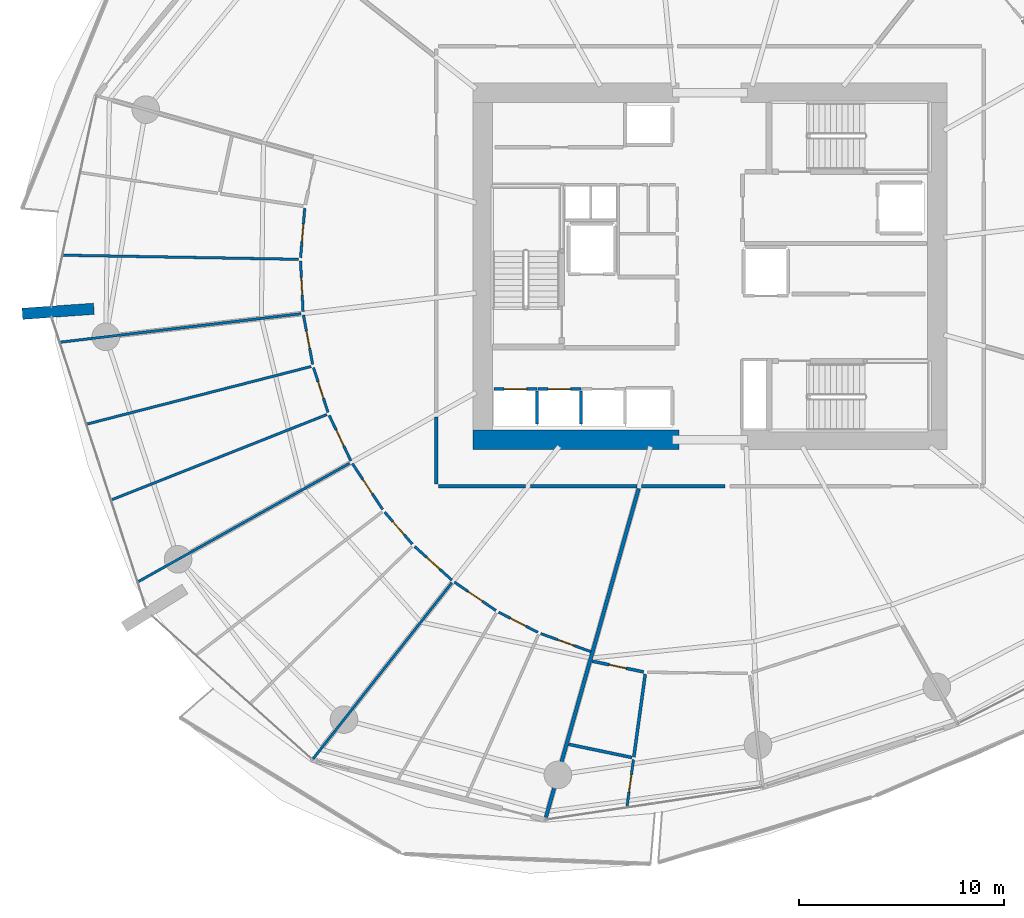
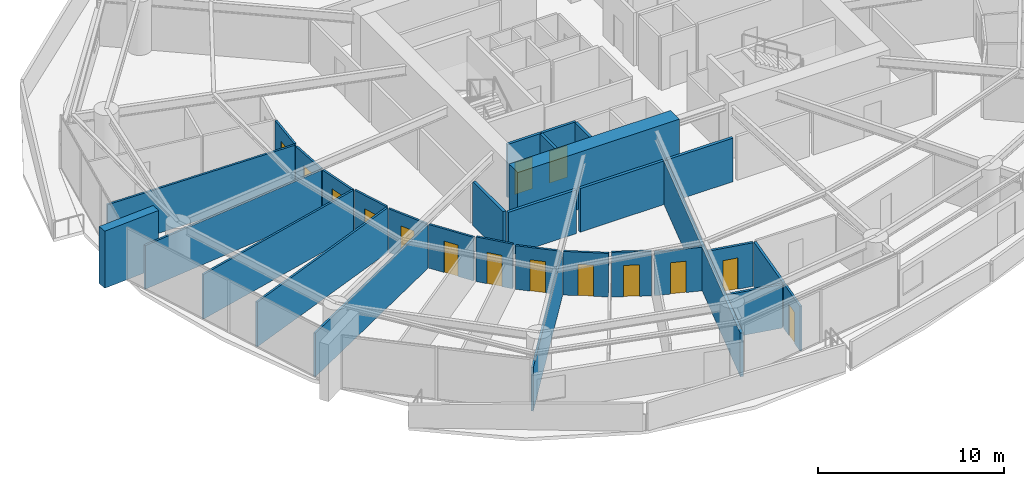
# One storey, part 19 of 31: 32 walls, 15 doors, 15 openings.
"""IFC4 building model written with IfcOpenShell, lengths in metres."""

from ifc_helpers import new_model, si_unit, direction, frame, frame_2d, origin, place, context, subcontext, project, spatial, rectangle, extrude, material, layer, layer_set, type_object, element, fill, save


model = new_model("IFC4")

# Units and contexts
model_context = context("Model", 3, precision=1e-05, world=origin(), true_north=direction((0.0, 1.0)))
body_context = subcontext(model_context, "Body", "Model", "MODEL_VIEW")
ifc_project = project(units=[si_unit("LENGTHUNIT", "METRE"), si_unit("AREAUNIT", "SQUARE_METRE"), si_unit("VOLUMEUNIT", "CUBIC_METRE"), si_unit("PLANEANGLEUNIT", "RADIAN"), si_unit("MASSUNIT", "GRAM", prefix="KILO")], contexts=[model_context])

# Site, building, storey
site_placement = place(None, origin())
site = spatial("IfcSite", under=ifc_project, at=site_placement, CompositionType="ELEMENT")
building_placement = place(site_placement, origin())
building = spatial("IfcBuilding", under=site, at=building_placement, Name="Kazma Halo Residences", CompositionType="ELEMENT")
storey_placement = place(building_placement, frame((0.0, 0.0, 52.64990234375)))
storey = spatial("IfcBuildingStorey", under=building, at=storey_placement, Name="L12", CompositionType="ELEMENT", Elevation=52.64990234375)

# Walls
ifc_material_1 = material(Name="Pale Concrete C60/75", Category="concrete")
ifc_layer_1 = layer(ifc_material_1, 0.550048828125)
ifc_layer_set_1 = layer_set([ifc_layer_1], Name="Pale Concrete C60/75")
wall_type_1 = type_object("IfcWallType", Name="WL-BLADE-550", PredefinedType="SOLIDWALL", material=ifc_layer_set_1)
wall_1_placement = place(storey_placement, frame((18.322021484375, 39.9248046875, 0.0), z_axis=(0.0, 0.0, 1.0), x_axis=(-0.997564163539, -0.069754853754, 0.0)))
element("IfcWall", 1, at=wall_1_placement, inside=storey, type_object=wall_type_1, Name="L12 pale concrete structural blade fin wall BW-02", PredefinedType="SOLIDWALL", context=body_context, shape_type="SweptSolid", body=[
    extrude(rectangle(XDim=3.5, YDim=0.550048828125, at=frame_2d((1.75, 0.0))), origin(), (0.0, 0.0, 1.0), 3.75),
])
ifc_material_2 = material(Name="Concrete C80/95", Category="concrete")
ifc_layer_2 = layer(ifc_material_2, 0.949951171875)
ifc_layer_set_2 = layer_set([ifc_layer_2], Name="Concrete C80/95")
wall_type_2 = type_object("IfcWallType", Name="WL-CORE-950", PredefinedType="SHEAR", material=ifc_layer_set_2)
wall_2_placement = place(storey_placement, frame((36.85009765625, 33.52490234375, 0.0), z_axis=(0.0, 0.0, 1.0), x_axis=(1.0, 0.0, 0.0)))
element("IfcWall", 2, at=wall_2_placement, inside=storey, type_object=wall_type_2, Name="L12 central core shear wall SW", PredefinedType="SHEAR", context=body_context, shape_type="SweptSolid", body=[
    extrude(rectangle(XDim=10.0498046875, YDim=0.949951171875, at=frame_2d((5.02490234375, 0.0))), origin(), (0.0, 0.0, 1.0), 3.75),
])
ifc_material_3 = material(Name="Acoustic Twin-Stud Gypsum")
ifc_layer_3 = layer(ifc_material_3, 0.179931640625)
ifc_layer_set_3 = layer_set([ifc_layer_3], Name="Acoustic Twin-Stud Gypsum")
wall_type_3 = type_object("IfcWallType", Name="WL-DEM-180", PredefinedType="PARTITIONING", material=ifc_layer_set_3)
wall_3_placement = place(storey_placement, frame((44.938232421875, 31.14404296875, 0.0), z_axis=(0.0, 0.0, 1.0), x_axis=(-0.27143758514, -0.962456044385, 0.0)))
element("IfcWall", 3, at=wall_3_placement, inside=storey, type_object=wall_type_3, Name="L12 apartment demising radial wall 10", PredefinedType="PARTITIONING", context=body_context, shape_type="SweptSolid", body=[
    extrude(rectangle(XDim=16.692626953125, YDim=0.179931640625, at=frame_2d((8.34619140625, 0.0))), origin(), (0.0, 0.0, 1.0), 2.8671875),
])
wall_4_placement = place(storey_placement, frame((35.050048828125, 34.627685546875, 0.0), z_axis=(0.0, 0.0, 1.0), x_axis=(0.0, -1.0, 0.0)))
element("IfcWall", 4, at=wall_4_placement, inside=storey, type_object=wall_type_3, Name="L12 Apartment 2 inner wall 8", PredefinedType="PARTITIONING", context=body_context, shape_type="SweptSolid", body=[
    extrude(rectangle(XDim=3.257568359375, YDim=0.179931640625, at=frame_2d((1.62890625, 0.0))), origin(), (0.0, 0.0, 1.0), 2.8671875),
])
wall_5_placement = place(storey_placement, frame((35.169921875, 31.25, 0.0), z_axis=(0.0, 0.0, 1.0), x_axis=(1.0, 0.0, 0.0)))
element("IfcWall", 5, at=wall_5_placement, inside=storey, type_object=wall_type_3, Name="L12 Apartment 2 inner wall 8", PredefinedType="PARTITIONING", context=body_context, shape_type="SweptSolid", body=[
    extrude(rectangle(XDim=4.235595703125, YDim=0.179931640625, at=frame_2d((2.11767578125, 0.0))), origin(), (0.0, 0.0, 1.0), 2.8671875),
])
wall_6_placement = place(storey_placement, frame((39.6455078125, 31.25, 0.0), z_axis=(0.0, 0.0, 1.0), x_axis=(1.0, 0.0, 0.0)))
element("IfcWall", 6, at=wall_6_placement, inside=storey, type_object=wall_type_3, Name="L12 Apartment 2 inner wall 9", PredefinedType="PARTITIONING", context=body_context, shape_type="SweptSolid", body=[
    extrude(rectangle(XDim=5.20263671875, YDim=0.179931640625, at=frame_2d((2.601318359375, 0.0))), origin(), (0.0, 0.0, 1.0), 2.8671875),
])
wall_7_placement = place(storey_placement, frame((45.088134765625, 31.25, 0.0), z_axis=(0.0, 0.0, 1.0), x_axis=(1.0, 0.0, 0.0)))
element("IfcWall", 7, at=wall_7_placement, inside=storey, type_object=wall_type_3, Name="L12 Apartment 3 inner wall 10", PredefinedType="PARTITIONING", context=body_context, shape_type="SweptSolid", body=[
    extrude(rectangle(XDim=4.064208984375, YDim=0.179931640625, at=frame_2d((2.0322265625, 0.0))), origin(), (0.0, 0.0, 1.0), 2.8671875),
])

# Wall, opening, door
ifc_material_4 = material(Name="Fire-Rated Blockwork Masonry", Category="masonry")
ifc_layer_4 = layer(ifc_material_4, 0.199951171875)
ifc_layer_set_4 = layer_set([ifc_layer_4], Name="Fire-Rated Blockwork Masonry")
wall_type_4 = type_object("IfcWallType", Name="WL-FLB-200", PredefinedType="PARTITIONING", material=ifc_layer_set_4)
wall_8_placement = place(storey_placement, frame((37.864990234375, 36.0048828125, 0.0), z_axis=(0.0, 0.0, 1.0), x_axis=(1.0, 0.0, 0.0)))
wall_8 = element("IfcWall", 8, at=wall_8_placement, inside=storey, type_object=wall_type_4, Name="L12 lift shaft PL-01 front wall", PredefinedType="PARTITIONING", context=body_context, shape_type="SweptSolid", body=[
    extrude(rectangle(XDim=2.110107421875, YDim=0.159912109375, at=frame_2d((1.05517578125, 0.0))), origin(), (0.0, 0.0, 1.0), 3.5),
])
opening_1_placement = place(wall_8_placement, frame((0.5048828125, 0.0, 0.0)))
opening_1 = element("IfcOpeningElement", 9, at=opening_1_placement, cuts=wall_8, Name="Opening LD-PL-01", PredefinedType="OPENING", context=body_context, shape_type="SweptSolid", body=[
    extrude(rectangle(XDim=1.10009765625, YDim=2.10009765625, at=frame_2d((0.550048828125, 1.050048828125))), frame((0.0, 0.08984375, 0.0), z_axis=(0.0, -1.0, 0.0), x_axis=(1.0, 0.0, 0.0)), (0.0, 0.0, 1.0), 0.179931640625),
])
ifc_material_5 = material(Name="Stainless Steel Fire-Rated", Category="steel")
door_type_1 = type_object("IfcDoorType", Name="DR-LIFT-SLD-1100", OperationType="DOUBLE_DOOR_SLIDING", PredefinedType="DOOR", material=ifc_material_5)
door_1_placement = place(opening_1_placement, origin())
door_1 = element("IfcDoor", 10, at=door_1_placement, inside=storey, type_object=door_type_1, Name="L12 lift PL-01 sliding landing door", OperationType="DOUBLE_DOOR_SLIDING", OverallHeight=2.10009765625, OverallWidth=1.10009765625, PredefinedType="DOOR", context=body_context, shape_type="SweptSolid", body=[
    extrude(rectangle(XDim=1.10009765625, YDim=2.10009765625, at=frame_2d((0.550048828125, 1.050048828125))), frame((0.0, 0.02490234375, 0.0), z_axis=(0.0, -1.0, 0.0), x_axis=(1.0, 0.0, 0.0)), (0.0, 0.0, 1.0), 0.050048828125),
])
fill(opening_1, door_1)

# Wall
wall_9_placement = place(storey_placement, frame((39.97509765625, 34.294921875, 0.0), z_axis=(0.0, 0.0, 1.0), x_axis=(0.0, 1.0, 0.0)))
element("IfcWall", 11, at=wall_9_placement, inside=storey, type_object=wall_type_4, Name="L12 lift shaft PL-01 side wall E", PredefinedType="PARTITIONING", context=body_context, shape_type="SweptSolid", body=[
    extrude(rectangle(XDim=1.610107421875, YDim=0.159912109375, at=frame_2d((0.80517578125, 0.0))), origin(), (0.0, 0.0, 1.0), 3.5),
])

# Wall, opening, door
wall_10_placement = place(storey_placement, frame((40.014892578125, 36.0048828125, 0.0), z_axis=(0.0, 0.0, 1.0), x_axis=(1.0, 0.0, 0.0)))
wall_10 = element("IfcWall", 12, at=wall_10_placement, inside=storey, type_object=wall_type_4, Name="L12 lift shaft PL-02 front wall", PredefinedType="PARTITIONING", context=body_context, shape_type="SweptSolid", body=[
    extrude(rectangle(XDim=2.110107421875, YDim=0.159912109375, at=frame_2d((1.05517578125, 0.0))), origin(), (0.0, 0.0, 1.0), 3.5),
])
opening_2_placement = place(wall_10_placement, frame((0.5048828125, 0.0, 0.0)))
opening_2 = element("IfcOpeningElement", 13, at=opening_2_placement, cuts=wall_10, Name="Opening LD-PL-02", PredefinedType="OPENING", context=body_context, shape_type="SweptSolid", body=[
    extrude(rectangle(XDim=1.10009765625, YDim=2.10009765625, at=frame_2d((0.550048828125, 1.050048828125))), frame((0.0, 0.08984375, 0.0), z_axis=(0.0, -1.0, 0.0), x_axis=(1.0, 0.0, 0.0)), (0.0, 0.0, 1.0), 0.179931640625),
])
door_2_placement = place(opening_2_placement, origin())
door_2 = element("IfcDoor", 14, at=door_2_placement, inside=storey, type_object=door_type_1, Name="L12 lift PL-02 sliding landing door", OperationType="DOUBLE_DOOR_SLIDING", OverallHeight=2.10009765625, OverallWidth=1.10009765625, PredefinedType="DOOR", context=body_context, shape_type="SweptSolid", body=[
    extrude(rectangle(XDim=1.10009765625, YDim=2.10009765625, at=frame_2d((0.550048828125, 1.050048828125))), frame((0.0, 0.02490234375, 0.0), z_axis=(0.0, -1.0, 0.0), x_axis=(1.0, 0.0, 0.0)), (0.0, 0.0, 1.0), 0.050048828125),
])
fill(opening_2, door_2)

# Walls
wall_11_placement = place(storey_placement, frame((42.125, 34.294921875, 0.0), z_axis=(0.0, 0.0, 1.0), x_axis=(0.0, 1.0, 0.0)))
element("IfcWall", 15, at=wall_11_placement, inside=storey, type_object=wall_type_4, Name="L12 lift shaft PL-02 side wall E", PredefinedType="PARTITIONING", context=body_context, shape_type="SweptSolid", body=[
    extrude(rectangle(XDim=1.610107421875, YDim=0.159912109375, at=frame_2d((0.80517578125, 0.0))), origin(), (0.0, 0.0, 1.0), 3.5),
])
ifc_material_6 = material(Name="Gypsum Plasterboard Partition")
ifc_layer_5 = layer(ifc_material_6, 0.125)
ifc_layer_set_5 = layer_set([ifc_layer_5], Name="Gypsum Plasterboard Partition")
wall_type_5 = type_object("IfcWallType", Name="WL-PART-125", PredefinedType="PARTITIONING", material=ifc_layer_set_5)
wall_12_placement = place(storey_placement, frame((28.322998046875, 42.34326171875, 0.0), z_axis=(0.0, 0.0, 1.0), x_axis=(-0.999848157463, 0.017425900802, 0.0)))
element("IfcWall", 16, at=wall_12_placement, inside=storey, type_object=wall_type_5, Name="L12 Apartment 2 suite divider 6", PredefinedType="PARTITIONING", context=body_context, shape_type="SweptSolid", body=[
    extrude(rectangle(XDim=11.516357421875, YDim=0.125, at=frame_2d((5.75830078125, 0.0))), origin(), (0.0, 0.0, 1.0), 2.940185546875),
])

# Wall, opening, door
wall_13_placement = place(storey_placement, frame((28.62255859375, 44.837890625, 0.0), z_axis=(0.0, 0.0, 1.0), x_axis=(-0.083662019613, -0.996494187878, 0.0)))
wall_13 = element("IfcWall", 17, at=wall_13_placement, inside=storey, type_object=wall_type_5, Name="L12 Apartment 2 Gourmet Kitchen hall wall", PredefinedType="PARTITIONING", context=body_context, shape_type="SweptSolid", body=[
    extrude(rectangle(XDim=2.425048828125, YDim=0.125, at=frame_2d((1.21240234375, 0.0))), origin(), (0.0, 0.0, 1.0), 2.940185546875),
])
opening_3_placement = place(wall_13_placement, frame((0.78759765625, 0.0, 0.0)))
opening_3 = element("IfcOpeningElement", 18, at=opening_3_placement, cuts=wall_13, Name="Opening DB-900", PredefinedType="OPENING", context=body_context, shape_type="SweptSolid", body=[
    extrude(rectangle(XDim=0.85009765625, YDim=2.06005859375, at=frame_2d((0.425048828125, 1.030029296875))), frame((0.0, 0.072509765625, 0.0), z_axis=(0.0, -1.0, 0.0), x_axis=(1.0, 0.0, 0.0)), (0.0, 0.0, 1.0), 0.14501953125),
])
ifc_material_7 = material(Name="Moisture-Sealed Timber Leaf", Category="wood")
door_type_2 = type_object("IfcDoorType", Name="DR-BTH-900", OperationType="NOTDEFINED", PredefinedType="DOOR", material=ifc_material_7)
door_3_placement = place(opening_3_placement, origin())
door_3 = element("IfcDoor", 19, at=door_3_placement, inside=storey, type_object=door_type_2, Name="L12 Apartment 2 Gourmet Kitchen door", OperationType="SINGLE_SWING_LEFT", OverallHeight=2.06005859375, OverallWidth=0.85009765625, PredefinedType="DOOR", context=body_context, shape_type="SweptSolid", body=[
    extrude(rectangle(XDim=0.85009765625, YDim=2.06005859375, at=frame_2d((0.425048828125, 1.030029296875))), frame((0.0, 0.02490234375, 0.0), z_axis=(0.0, -1.0, 0.0), x_axis=(1.0, 0.0, 0.0)), (0.0, 0.0, 1.0), 0.050048828125),
])
fill(opening_3, door_3)

wall_14_placement = place(storey_placement, frame((28.4169921875, 42.26171875, 0.0), z_axis=(0.0, 0.0, 1.0), x_axis=(0.050164619396, -0.998740962893, 0.0)))
wall_14 = element("IfcWall", 20, at=wall_14_placement, inside=storey, type_object=wall_type_5, Name="L12 Apartment 2 Master Bedroom hall wall", PredefinedType="PARTITIONING", context=body_context, shape_type="SweptSolid", body=[
    extrude(rectangle(XDim=2.467529296875, YDim=0.125, at=frame_2d((1.23388671875, 0.0))), origin(), (0.0, 0.0, 1.0), 2.8671875),
])
opening_4_placement = place(wall_14_placement, frame((0.808837890625, 0.0, 0.0)))
opening_4 = element("IfcOpeningElement", 21, at=opening_4_placement, cuts=wall_14, Name="Opening DB-900", PredefinedType="OPENING", context=body_context, shape_type="SweptSolid", body=[
    extrude(rectangle(XDim=0.85009765625, YDim=2.06005859375, at=frame_2d((0.425048828125, 1.030029296875))), frame((0.0, 0.072509765625, 0.0), z_axis=(0.0, -1.0, 0.0), x_axis=(1.0, 0.0, 0.0)), (0.0, 0.0, 1.0), 0.14501953125),
])
door_4_placement = place(opening_4_placement, origin())
door_4 = element("IfcDoor", 22, at=door_4_placement, inside=storey, type_object=door_type_2, Name="L12 Apartment 2 Master Bedroom door", OperationType="SINGLE_SWING_RIGHT", OverallHeight=2.06005859375, OverallWidth=0.85009765625, PredefinedType="DOOR", context=body_context, shape_type="SweptSolid", body=[
    extrude(rectangle(XDim=0.85009765625, YDim=2.06005859375, at=frame_2d((0.425048828125, 1.030029296875))), frame((0.0, 0.02490234375, 0.0), z_axis=(0.0, -1.0, 0.0), x_axis=(1.0, 0.0, 0.0)), (0.0, 0.0, 1.0), 0.050048828125),
])
fill(opening_4, door_4)

# Walls
wall_15_placement = place(storey_placement, frame((28.446533203125, 39.685546875, 0.0), z_axis=(0.0, 0.0, 1.0), x_axis=(-0.993069352834, -0.117529827964, 0.0)))
element("IfcWall", 23, at=wall_15_placement, inside=storey, type_object=wall_type_5, Name="L12 Apartment 2 radial partition 7", PredefinedType="PARTITIONING", context=body_context, shape_type="SweptSolid", body=[
    extrude(rectangle(XDim=11.8486328125, YDim=0.125, at=frame_2d((5.92431640625, 0.0))), origin(), (0.0, 0.0, 1.0), 2.8671875),
])
for number, where, z_axis, x_axis, name in (
    (24, (28.938232421875, 37.105712890625, 0.0), (0.0, 0.0, 1.0), (-0.968583138893, -0.248689973767, 0.0), "L12 Apartment 2 bay wall 1 7"),
    (25, (29.701904296875, 34.75537109375, 0.0), (0.0, 0.0, 1.0), (-0.929773223041, -0.368132793591, 0.0), "L12 Apartment 2 bay wall 2 7"),
):
    element("IfcWall", number, at=place(storey_placement, frame(where, z_axis=z_axis, x_axis=x_axis)), inside=storey, type_object=wall_type_5, Name=name, PredefinedType="PARTITIONING", context=body_context, shape_type="SweptSolid", body=[
        extrude(rectangle(XDim=11.313232421875, YDim=0.125, at=frame_2d((5.65673828125, 0.0))), origin(), (0.0, 0.0, 1.0), 2.940185546875),
    ])

# Wall, opening, door
wall_16_placement = place(storey_placement, frame((28.560546875, 39.618896484375, 0.0), z_axis=(0.0, 0.0, 1.0), x_axis=(0.183471474028, -0.98302503438, 0.0)))
wall_16 = element("IfcWall", 26, at=wall_16_placement, inside=storey, type_object=wall_type_5, Name="L12 Apartment 2 Primary Master Bedroom hall wall", PredefinedType="PARTITIONING", context=body_context, shape_type="SweptSolid", body=[
    extrude(rectangle(XDim=2.453857421875, YDim=0.125, at=frame_2d((1.22705078125, 0.0))), origin(), (0.0, 0.0, 1.0), 2.8671875),
])
opening_5_placement = place(wall_16_placement, frame((0.8017578125, 0.0, 0.0)))
opening_5 = element("IfcOpeningElement", 27, at=opening_5_placement, cuts=wall_16, Name="Opening DB-900", PredefinedType="OPENING", context=body_context, shape_type="SweptSolid", body=[
    extrude(rectangle(XDim=0.85009765625, YDim=2.06005859375, at=frame_2d((0.425048828125, 1.030029296875))), frame((0.0, 0.072509765625, 0.0), z_axis=(0.0, -1.0, 0.0), x_axis=(1.0, 0.0, 0.0)), (0.0, 0.0, 1.0), 0.14501953125),
])
door_5_placement = place(opening_5_placement, origin())
door_5 = element("IfcDoor", 28, at=door_5_placement, inside=storey, type_object=door_type_2, Name="L12 Apartment 2 Primary Master Bedroom door", OperationType="SINGLE_SWING_LEFT", OverallHeight=2.06005859375, OverallWidth=0.85009765625, PredefinedType="DOOR", context=body_context, shape_type="SweptSolid", body=[
    extrude(rectangle(XDim=0.85009765625, YDim=2.06005859375, at=frame_2d((0.425048828125, 1.030029296875))), frame((0.0, 0.02490234375, 0.0), z_axis=(0.0, -1.0, 0.0), x_axis=(1.0, 0.0, 0.0)), (0.0, 0.0, 1.0), 0.050048828125),
])
fill(opening_5, door_5)

wall_17_placement = place(storey_placement, frame((29.05029296875, 37.052001953125, 0.0), z_axis=(0.0, 0.0, 1.0), x_axis=(0.308990065628, -0.951065265554, 0.0)))
wall_17 = element("IfcWall", 29, at=wall_17_placement, inside=storey, type_object=wall_type_5, Name="L12 Apartment 2 Secondary Dressing Wardrobe hall wall", PredefinedType="PARTITIONING", context=body_context, shape_type="SweptSolid", body=[
    extrude(rectangle(XDim=2.300048828125, YDim=0.125, at=frame_2d((1.14990234375, 0.0))), origin(), (0.0, 0.0, 1.0), 2.940185546875),
])
opening_6_placement = place(wall_17_placement, frame((0.72509765625, 0.0, 0.0)))
opening_6 = element("IfcOpeningElement", 30, at=opening_6_placement, cuts=wall_17, Name="Opening DB-900", PredefinedType="OPENING", context=body_context, shape_type="SweptSolid", body=[
    extrude(rectangle(XDim=0.85009765625, YDim=2.06005859375, at=frame_2d((0.425048828125, 1.030029296875))), frame((0.0, 0.072509765625, 0.0), z_axis=(0.0, -1.0, 0.0), x_axis=(1.0, 0.0, 0.0)), (0.0, 0.0, 1.0), 0.14501953125),
])
door_6_placement = place(opening_6_placement, origin())
door_6 = element("IfcDoor", 31, at=door_6_placement, inside=storey, type_object=door_type_2, Name="L12 Apartment 2 Secondary Dressing Wardrobe door", OperationType="SINGLE_SWING_RIGHT", OverallHeight=2.06005859375, OverallWidth=0.85009765625, PredefinedType="DOOR", context=body_context, shape_type="SweptSolid", body=[
    extrude(rectangle(XDim=0.85009765625, YDim=2.06005859375, at=frame_2d((0.425048828125, 1.030029296875))), frame((0.0, 0.02490234375, 0.0), z_axis=(0.0, -1.0, 0.0), x_axis=(1.0, 0.0, 0.0)), (0.0, 0.0, 1.0), 0.050048828125),
])
fill(opening_6, door_6)

wall_18_placement = place(storey_placement, frame((29.820068359375, 34.716064453125, 0.0), z_axis=(0.0, 0.0, 1.0), x_axis=(0.429373424985, -0.903127046388, 0.0)))
wall_18 = element("IfcWall", 32, at=wall_18_placement, inside=storey, type_object=wall_type_5, Name="L12 Apartment 2 East Master Bedroom hall wall", PredefinedType="PARTITIONING", context=body_context, shape_type="SweptSolid", body=[
    extrude(rectangle(XDim=2.45361328125, YDim=0.125, at=frame_2d((1.226806640625, 0.0))), origin(), (0.0, 0.0, 1.0), 2.8671875),
])
opening_7_placement = place(wall_18_placement, frame((0.8017578125, 0.0, 0.0)))
opening_7 = element("IfcOpeningElement", 33, at=opening_7_placement, cuts=wall_18, Name="Opening DB-900", PredefinedType="OPENING", context=body_context, shape_type="SweptSolid", body=[
    extrude(rectangle(XDim=0.85009765625, YDim=2.06005859375, at=frame_2d((0.425048828125, 1.030029296875))), frame((0.0, 0.072509765625, 0.0), z_axis=(0.0, -1.0, 0.0), x_axis=(1.0, 0.0, 0.0)), (0.0, 0.0, 1.0), 0.14501953125),
])
door_7_placement = place(opening_7_placement, origin())
door_7 = element("IfcDoor", 34, at=door_7_placement, inside=storey, type_object=door_type_2, Name="L12 Apartment 2 East Master Bedroom door", OperationType="SINGLE_SWING_LEFT", OverallHeight=2.06005859375, OverallWidth=0.85009765625, PredefinedType="DOOR", context=body_context, shape_type="SweptSolid", body=[
    extrude(rectangle(XDim=0.85009765625, YDim=2.06005859375, at=frame_2d((0.425048828125, 1.030029296875))), frame((0.0, 0.02490234375, 0.0), z_axis=(0.0, -1.0, 0.0), x_axis=(1.0, 0.0, 0.0)), (0.0, 0.0, 1.0), 0.050048828125),
])
fill(opening_7, door_7)

# Wall
wall_19_placement = place(storey_placement, frame((30.820556640625, 32.37890625, 0.0), z_axis=(0.0, 0.0, 1.0), x_axis=(-0.872502853637, -0.488609015877, 0.0)))
element("IfcWall", 35, at=wall_19_placement, inside=storey, type_object=wall_type_5, Name="L12 Apartment 2 radial partition 8", PredefinedType="PARTITIONING", context=body_context, shape_type="SweptSolid", body=[
    extrude(rectangle(XDim=11.8486328125, YDim=0.125, at=frame_2d((5.92431640625, 0.0))), origin(), (0.0, 0.0, 1.0), 2.8671875),
])

# Wall, opening, door
wall_20_placement = place(storey_placement, frame((30.951904296875, 32.361083984375, 0.0), z_axis=(0.0, 0.0, 1.0), x_axis=(0.550641951823, -0.834741541372, 0.0)))
wall_20 = element("IfcWall", 36, at=wall_20_placement, inside=storey, type_object=wall_type_5, Name="L12 Apartment 2 West Master Bedroom hall wall", PredefinedType="PARTITIONING", context=body_context, shape_type="SweptSolid", body=[
    extrude(rectangle(XDim=2.683837890625, YDim=0.125, at=frame_2d((1.341796875, 0.0))), origin(), (0.0, 0.0, 1.0), 2.8671875),
])
opening_8_placement = place(wall_20_placement, frame((0.9169921875, 0.0, 0.0)))
opening_8 = element("IfcOpeningElement", 37, at=opening_8_placement, cuts=wall_20, Name="Opening DB-900", PredefinedType="OPENING", context=body_context, shape_type="SweptSolid", body=[
    extrude(rectangle(XDim=0.85009765625, YDim=2.06005859375, at=frame_2d((0.425048828125, 1.030029296875))), frame((0.0, 0.072509765625, 0.0), z_axis=(0.0, -1.0, 0.0), x_axis=(1.0, 0.0, 0.0)), (0.0, 0.0, 1.0), 0.14501953125),
])
door_8_placement = place(opening_8_placement, origin())
door_8 = element("IfcDoor", 38, at=door_8_placement, inside=storey, type_object=door_type_2, Name="L12 Apartment 2 West Master Bedroom door", OperationType="SINGLE_SWING_RIGHT", OverallHeight=2.06005859375, OverallWidth=0.85009765625, PredefinedType="DOOR", context=body_context, shape_type="SweptSolid", body=[
    extrude(rectangle(XDim=0.85009765625, YDim=2.06005859375, at=frame_2d((0.425048828125, 1.030029296875))), frame((0.0, 0.02490234375, 0.0), z_axis=(0.0, -1.0, 0.0), x_axis=(1.0, 0.0, 0.0)), (0.0, 0.0, 1.0), 0.050048828125),
])
fill(opening_8, door_8)

wall_21_placement = place(storey_placement, frame((32.526123046875, 29.993408203125, 0.0), z_axis=(0.0, 0.0, 1.0), x_axis=(0.653933053639, -0.756552418117, 0.0)))
wall_21 = element("IfcWall", 39, at=wall_21_placement, inside=storey, type_object=wall_type_5, Name="L12 Apartment 2 North Study hall wall", PredefinedType="PARTITIONING", context=body_context, shape_type="SweptSolid", body=[
    extrude(rectangle(XDim=2.06982421875, YDim=0.125, at=frame_2d((1.034912109375, 0.0))), origin(), (0.0, 0.0, 1.0), 2.940185546875),
])
opening_9_placement = place(wall_21_placement, frame((0.60986328125, 0.0, 0.0)))
opening_9 = element("IfcOpeningElement", 40, at=opening_9_placement, cuts=wall_21, Name="Opening DB-900", PredefinedType="OPENING", context=body_context, shape_type="SweptSolid", body=[
    extrude(rectangle(XDim=0.85009765625, YDim=2.06005859375, at=frame_2d((0.425048828125, 1.030029296875))), frame((0.0, 0.072509765625, 0.0), z_axis=(0.0, -1.0, 0.0), x_axis=(1.0, 0.0, 0.0)), (0.0, 0.0, 1.0), 0.14501953125),
])
door_9_placement = place(opening_9_placement, origin())
door_9 = element("IfcDoor", 41, at=door_9_placement, inside=storey, type_object=door_type_2, Name="L12 Apartment 2 North Study door", OperationType="SINGLE_SWING_LEFT", OverallHeight=2.06005859375, OverallWidth=0.85009765625, PredefinedType="DOOR", context=body_context, shape_type="SweptSolid", body=[
    extrude(rectangle(XDim=0.85009765625, YDim=2.06005859375, at=frame_2d((0.425048828125, 1.030029296875))), frame((0.0, 0.02490234375, 0.0), z_axis=(0.0, -1.0, 0.0), x_axis=(1.0, 0.0, 0.0)), (0.0, 0.0, 1.0), 0.050048828125),
])
fill(opening_9, door_9)

wall_22_placement = place(storey_placement, frame((33.9912109375, 28.3134765625, 0.0), z_axis=(0.0, 0.0, 1.0), x_axis=(0.742254293896, -0.670118320293, 0.0)))
wall_22 = element("IfcWall", 42, at=wall_22_placement, inside=storey, type_object=wall_type_5, Name="L12 Apartment 2 South Master Bedroom hall wall", PredefinedType="PARTITIONING", context=body_context, shape_type="SweptSolid", body=[
    extrude(rectangle(XDim=2.45361328125, YDim=0.125, at=frame_2d((1.226806640625, 0.0))), origin(), (0.0, 0.0, 1.0), 2.8671875),
])
opening_10_placement = place(wall_22_placement, frame((0.8017578125, 0.0, 0.0)))
opening_10 = element("IfcOpeningElement", 43, at=opening_10_placement, cuts=wall_22, Name="Opening DB-900", PredefinedType="OPENING", context=body_context, shape_type="SweptSolid", body=[
    extrude(rectangle(XDim=0.85009765625, YDim=2.06005859375, at=frame_2d((0.425048828125, 1.030029296875))), frame((0.0, 0.072509765625, 0.0), z_axis=(0.0, -1.0, 0.0), x_axis=(1.0, 0.0, 0.0)), (0.0, 0.0, 1.0), 0.14501953125),
])
door_10_placement = place(opening_10_placement, origin())
door_10 = element("IfcDoor", 44, at=door_10_placement, inside=storey, type_object=door_type_2, Name="L12 Apartment 2 South Master Bedroom door", OperationType="SINGLE_SWING_RIGHT", OverallHeight=2.06005859375, OverallWidth=0.85009765625, PredefinedType="DOOR", context=body_context, shape_type="SweptSolid", body=[
    extrude(rectangle(XDim=0.85009765625, YDim=2.06005859375, at=frame_2d((0.425048828125, 1.030029296875))), frame((0.0, 0.02490234375, 0.0), z_axis=(0.0, -1.0, 0.0), x_axis=(1.0, 0.0, 0.0)), (0.0, 0.0, 1.0), 0.050048828125),
])
fill(opening_10, door_10)

# Wall
wall_23_placement = place(storey_placement, frame((35.81005859375, 26.537109375, 0.0), z_axis=(0.0, 0.0, 1.0), x_axis=(-0.619089957105, -0.785320078064, 0.0)))
element("IfcWall", 45, at=wall_23_placement, inside=storey, type_object=wall_type_5, Name="L12 Apartment 2 radial partition 9", PredefinedType="PARTITIONING", context=body_context, shape_type="SweptSolid", body=[
    extrude(rectangle(XDim=10.984375, YDim=0.125, at=frame_2d((5.4921875, 0.0))), origin(), (0.0, 0.0, 1.0), 2.8671875),
])

# Wall, opening, door
wall_24_placement = place(storey_placement, frame((35.93798828125, 26.5703125, 0.0), z_axis=(0.0, 0.0, 1.0), x_axis=(0.824894565629, -0.565286613672, 0.0)))
wall_24 = element("IfcWall", 46, at=wall_24_placement, inside=storey, type_object=wall_type_5, Name="L12 Apartment 2 Inner Bedroom hall wall", PredefinedType="PARTITIONING", context=body_context, shape_type="SweptSolid", body=[
    extrude(rectangle(XDim=2.45361328125, YDim=0.125, at=frame_2d((1.226806640625, 0.0))), origin(), (0.0, 0.0, 1.0), 2.8671875),
])
opening_11_placement = place(wall_24_placement, frame((0.8017578125, 0.0, 0.0)))
opening_11 = element("IfcOpeningElement", 47, at=opening_11_placement, cuts=wall_24, Name="Opening DB-900", PredefinedType="OPENING", context=body_context, shape_type="SweptSolid", body=[
    extrude(rectangle(XDim=0.85009765625, YDim=2.06005859375, at=frame_2d((0.425048828125, 1.030029296875))), frame((0.0, 0.072509765625, 0.0), z_axis=(0.0, -1.0, 0.0), x_axis=(1.0, 0.0, 0.0)), (0.0, 0.0, 1.0), 0.14501953125),
])
door_11_placement = place(opening_11_placement, origin())
door_11 = element("IfcDoor", 48, at=door_11_placement, inside=storey, type_object=door_type_2, Name="L12 Apartment 2 Inner Bedroom door", OperationType="SINGLE_SWING_LEFT", OverallHeight=2.06005859375, OverallWidth=0.85009765625, PredefinedType="DOOR", context=body_context, shape_type="SweptSolid", body=[
    extrude(rectangle(XDim=0.85009765625, YDim=2.06005859375, at=frame_2d((0.425048828125, 1.030029296875))), frame((0.0, 0.02490234375, 0.0), z_axis=(0.0, -1.0, 0.0), x_axis=(1.0, 0.0, 0.0)), (0.0, 0.0, 1.0), 0.050048828125),
])
fill(opening_11, door_11)

wall_25_placement = place(storey_placement, frame((38.09912109375, 25.1015625, 0.0), z_axis=(0.0, 0.0, 1.0), x_axis=(0.889180724552, -0.457556159487, 0.0)))
wall_25 = element("IfcWall", 49, at=wall_25_placement, inside=storey, type_object=wall_type_5, Name="L12 Apartment 2 Outer Dressing Wardrobe hall wall", PredefinedType="PARTITIONING", context=body_context, shape_type="SweptSolid", body=[
    extrude(rectangle(XDim=2.146484375, YDim=0.125, at=frame_2d((1.0732421875, 0.0))), origin(), (0.0, 0.0, 1.0), 2.940185546875),
])
opening_12_placement = place(wall_25_placement, frame((0.648193359375, 0.0, 0.0)))
opening_12 = element("IfcOpeningElement", 50, at=opening_12_placement, cuts=wall_25, Name="Opening DB-900", PredefinedType="OPENING", context=body_context, shape_type="SweptSolid", body=[
    extrude(rectangle(XDim=0.85009765625, YDim=2.06005859375, at=frame_2d((0.425048828125, 1.030029296875))), frame((0.0, 0.072509765625, 0.0), z_axis=(0.0, -1.0, 0.0), x_axis=(1.0, 0.0, 0.0)), (0.0, 0.0, 1.0), 0.14501953125),
])
door_12_placement = place(opening_12_placement, origin())
door_12 = element("IfcDoor", 51, at=door_12_placement, inside=storey, type_object=door_type_2, Name="L12 Apartment 2 Outer Dressing Wardrobe door", OperationType="SINGLE_SWING_RIGHT", OverallHeight=2.06005859375, OverallWidth=0.85009765625, PredefinedType="DOOR", context=body_context, shape_type="SweptSolid", body=[
    extrude(rectangle(XDim=0.85009765625, YDim=2.06005859375, at=frame_2d((0.425048828125, 1.030029296875))), frame((0.0, 0.02490234375, 0.0), z_axis=(0.0, -1.0, 0.0), x_axis=(1.0, 0.0, 0.0)), (0.0, 0.0, 1.0), 0.050048828125),
])
fill(opening_12, door_12)

wall_26_placement = place(storey_placement, frame((40.154296875, 24.0556640625, 0.0), z_axis=(0.0, 0.0, 1.0), x_axis=(0.94088502421, -0.338726100584, 0.0)))
wall_26 = element("IfcWall", 52, at=wall_26_placement, inside=storey, type_object=wall_type_5, Name="L12 Apartment 2 Corner Bedroom hall wall", PredefinedType="PARTITIONING", context=body_context, shape_type="SweptSolid", body=[
    extrude(rectangle(XDim=2.60693359375, YDim=0.125, at=frame_2d((1.303466796875, 0.0))), origin(), (0.0, 0.0, 1.0), 2.8671875),
])
opening_13_placement = place(wall_26_placement, frame((0.878662109375, 0.0, 0.0)))
opening_13 = element("IfcOpeningElement", 53, at=opening_13_placement, cuts=wall_26, Name="Opening DB-900", PredefinedType="OPENING", context=body_context, shape_type="SweptSolid", body=[
    extrude(rectangle(XDim=0.85009765625, YDim=2.06005859375, at=frame_2d((0.425048828125, 1.030029296875))), frame((0.0, 0.072509765625, 0.0), z_axis=(0.0, -1.0, 0.0), x_axis=(1.0, 0.0, 0.0)), (0.0, 0.0, 1.0), 0.14501953125),
])
door_13_placement = place(opening_13_placement, origin())
door_13 = element("IfcDoor", 54, at=door_13_placement, inside=storey, type_object=door_type_2, Name="L12 Apartment 2 Corner Bedroom door", OperationType="SINGLE_SWING_LEFT", OverallHeight=2.06005859375, OverallWidth=0.85009765625, PredefinedType="DOOR", context=body_context, shape_type="SweptSolid", body=[
    extrude(rectangle(XDim=0.85009765625, YDim=2.06005859375, at=frame_2d((0.425048828125, 1.030029296875))), frame((0.0, 0.02490234375, 0.0), z_axis=(0.0, -1.0, 0.0), x_axis=(1.0, 0.0, 0.0)), (0.0, 0.0, 1.0), 0.050048828125),
])
fill(opening_13, door_13)

wall_27_placement = place(storey_placement, frame((44.68505859375, 17.893798828125, 0.0), z_axis=(0.0, 0.0, 1.0), x_axis=(-0.136247867624, -0.990674779414, 0.0)))
wall_27 = element("IfcWall", 55, at=wall_27_placement, inside=storey, type_object=wall_type_5, Name="L12 Apartment 3 Household Store Room partition wall", PredefinedType="PARTITIONING", context=body_context, shape_type="SweptSolid", body=[
    extrude(rectangle(XDim=2.3330078125, YDim=0.125, at=frame_2d((1.16650390625, 0.0))), origin(), (0.0, 0.0, 1.0), 2.940185546875),
])
opening_14_placement = place(wall_27_placement, frame((0.74169921875, 0.0, 0.0)))
opening_14 = element("IfcOpeningElement", 56, at=opening_14_placement, cuts=wall_27, Name="Opening DB-900", PredefinedType="OPENING", context=body_context, shape_type="SweptSolid", body=[
    extrude(rectangle(XDim=0.85009765625, YDim=2.06005859375, at=frame_2d((0.425048828125, 1.030029296875))), frame((0.0, 0.072509765625, 0.0), z_axis=(0.0, -1.0, 0.0), x_axis=(1.0, 0.0, 0.0)), (0.0, 0.0, 1.0), 0.14501953125),
])
door_14_placement = place(opening_14_placement, origin())
door_14 = element("IfcDoor", 57, at=door_14_placement, inside=storey, type_object=door_type_2, Name="L12 Apartment 3 Household Store Room door", OperationType="SINGLE_SWING_RIGHT", OverallHeight=2.06005859375, OverallWidth=0.85009765625, PredefinedType="DOOR", context=body_context, shape_type="SweptSolid", body=[
    extrude(rectangle(XDim=0.85009765625, YDim=2.06005859375, at=frame_2d((0.425048828125, 1.030029296875))), frame((0.0, 0.02490234375, 0.0), z_axis=(0.0, -1.0, 0.0), x_axis=(1.0, 0.0, 0.0)), (0.0, 0.0, 1.0), 0.050048828125),
])
fill(opening_14, door_14)

ifc_material_8 = material(Name="Moisture-Resistant Gypsum")
ifc_layer_6 = layer(ifc_material_8, 0.14990234375)
ifc_layer_set_6 = layer_set([ifc_layer_6], Name="Moisture-Resistant Gypsum")
wall_type_6 = type_object("IfcWallType", Name="WL-WET-150", PredefinedType="PARTITIONING", material=ifc_layer_set_6)
wall_28_placement = place(storey_placement, frame((42.662841796875, 22.70849609375, 0.0), z_axis=(0.0, 0.0, 1.0), x_axis=(0.97889437531, -0.204366831913, 0.0)))
wall_28 = element("IfcWall", 58, at=wall_28_placement, inside=storey, type_object=wall_type_6, Name="L12 Apartment 3 Guest Bathroom hall wall", PredefinedType="PARTITIONING", context=body_context, shape_type="SweptSolid", body=[
    extrude(rectangle(XDim=2.57568359375, YDim=0.14990234375, at=frame_2d((1.287841796875, 0.0))), origin(), (0.0, 0.0, 1.0), 2.8671875),
])
opening_15_placement = place(wall_28_placement, frame((0.86279296875, 0.0, 0.0)))
opening_15 = element("IfcOpeningElement", 59, at=opening_15_placement, cuts=wall_28, Name="Opening DB-900", PredefinedType="OPENING", context=body_context, shape_type="SweptSolid", body=[
    extrude(rectangle(XDim=0.85009765625, YDim=2.06005859375, at=frame_2d((0.425048828125, 1.030029296875))), frame((0.0, 0.0849609375, 0.0), z_axis=(0.0, -1.0, 0.0), x_axis=(1.0, 0.0, 0.0)), (0.0, 0.0, 1.0), 0.169921875),
])
door_15_placement = place(opening_15_placement, origin())
door_15 = element("IfcDoor", 60, at=door_15_placement, inside=storey, type_object=door_type_2, Name="L12 Apartment 3 Guest Bathroom door", OperationType="SINGLE_SWING_LEFT", OverallHeight=2.06005859375, OverallWidth=0.85009765625, PredefinedType="DOOR", context=body_context, shape_type="SweptSolid", body=[
    extrude(rectangle(XDim=0.85009765625, YDim=2.06005859375, at=frame_2d((0.425048828125, 1.030029296875))), frame((0.0, 0.02490234375, 0.0), z_axis=(0.0, -1.0, 0.0), x_axis=(1.0, 0.0, 0.0)), (0.0, 0.0, 1.0), 0.050048828125),
])
fill(opening_15, door_15)

# Walls
wall_29_placement = place(storey_placement, frame((41.517333984375, 18.646728515625, 0.0), z_axis=(0.0, 0.0, 1.0), x_axis=(0.978908333459, -0.204299962518, 0.0)))
element("IfcWall", 61, at=wall_29_placement, inside=storey, type_object=wall_type_6, Name="L12 Apartment 3 Guest Bathroom back wall", PredefinedType="PARTITIONING", context=body_context, shape_type="SweptSolid", body=[
    extrude(rectangle(XDim=3.158447265625, YDim=0.14990234375, at=frame_2d((1.5791015625, 0.0))), origin(), (0.0, 0.0, 1.0), 2.8671875),
])
wall_30_placement = place(storey_placement, frame((45.260009765625, 22.074462890625, 0.0), z_axis=(0.0, 0.0, 1.0), x_axis=(-0.136279855187, -0.990670379627, 0.0)))
element("IfcWall", 62, at=wall_30_placement, inside=storey, type_object=wall_type_6, Name="L12 Apartment 3 Guest Bathroom side wall", PredefinedType="PARTITIONING", context=body_context, shape_type="SweptSolid", body=[
    extrude(rectangle(XDim=4.08984375, YDim=0.14990234375, at=frame_2d((2.044921875, 0.0))), origin(), (0.0, 0.0, 1.0), 2.940185546875),
])

save(model, "model.ifc")
